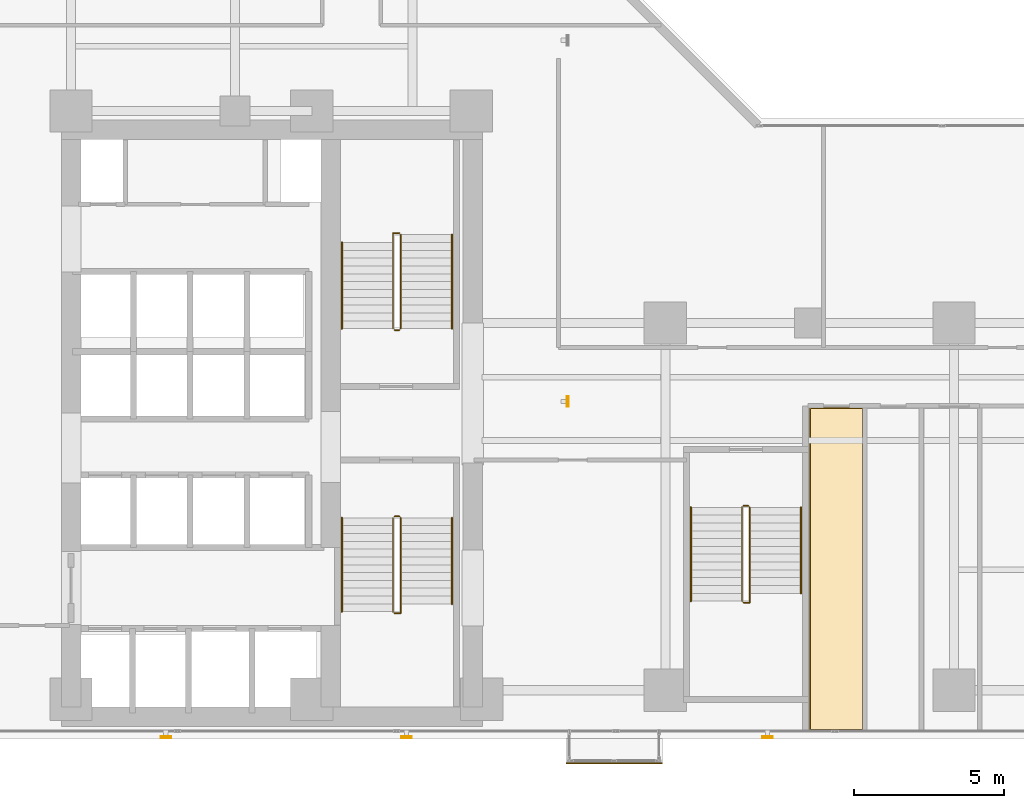
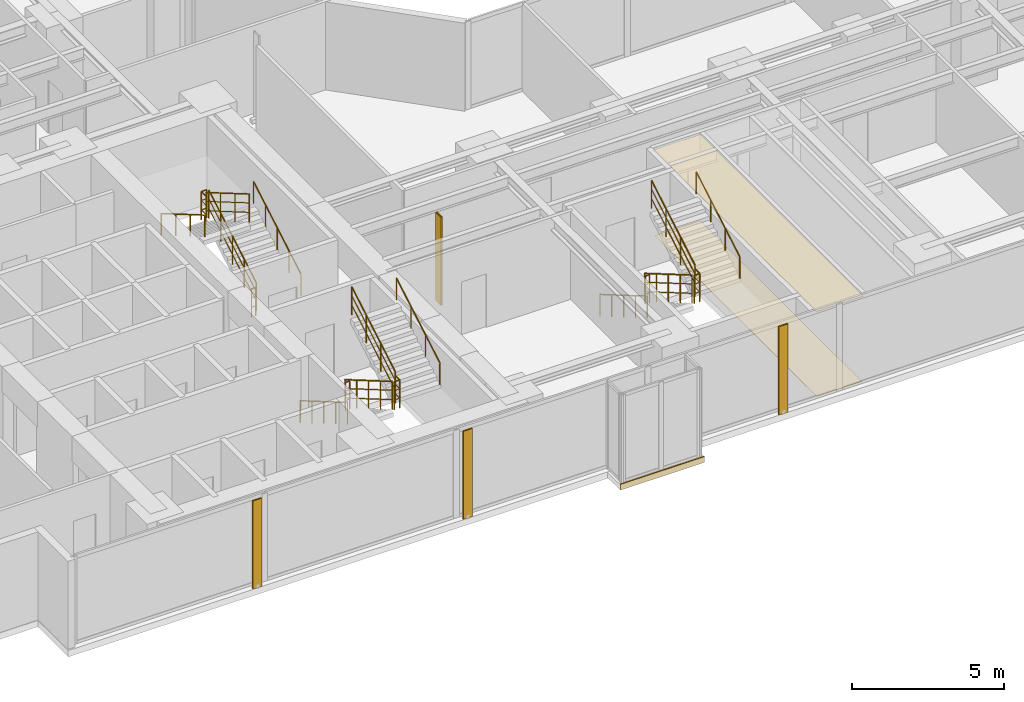
# One storey, part 22 of 24: 18 railings, 4 shading devices, 3 coverings.
"""IFC4 building model written with IfcOpenShell, lengths in metres."""

from ifc_helpers import new_model, si_unit, direction, frame, origin, origin_2d, place, context, subcontext, project, spatial, polyline, rectangle, hollow_rectangle, circle, outline, extrude, material, layer, layer_set, material_profile, profile_set, type_object, element, save


model = new_model("IFC4")

# Units and contexts
model_context = context("Model", 3, precision=1e-05, world=origin(), true_north=direction((0.0, 1.0)))
body_context = subcontext(model_context, "Body", "Model", "MODEL_VIEW")
ifc_project = project(units=[si_unit("LENGTHUNIT", "METRE"), si_unit("AREAUNIT", "SQUARE_METRE"), si_unit("VOLUMEUNIT", "CUBIC_METRE"), si_unit("PLANEANGLEUNIT", "RADIAN"), si_unit("MASSUNIT", "GRAM", prefix="KILO")], contexts=[model_context])

# Site, building, storey
site_placement = place(None, origin())
site = spatial("IfcSite", under=ifc_project, at=site_placement, CompositionType="ELEMENT")
building_placement = place(site_placement, origin())
building = spatial("IfcBuilding", under=site, at=building_placement, Name="Kolvaren Waterfront Exchange", CompositionType="ELEMENT")
storey_placement = place(building_placement, frame((0.0, 0.0, 91.699951171875)))
storey = spatial("IfcBuildingStorey", under=building, at=storey_placement, Name="L23", CompositionType="ELEMENT", Elevation=91.699951171875)

# Coverings
ifc_material_1 = material(Name="Mineral fibre acoustic ceiling tile")
ifc_layer_1 = layer(ifc_material_1, 0.02490234375, Name="Mineral fibre acoustic ceiling tile")
ifc_layer_set_1 = layer_set([ifc_layer_1], Name="Mineral fibre acoustic ceiling tile")
covering_type_1 = type_object("IfcCoveringType", Name="ARC-CEIL-ACOUSTIC-25", PredefinedType="CEILING", material=ifc_layer_set_1)
covering_1_placement = place(storey_placement, frame((0.0, 0.0, 3.425048828125)))
element("IfcCovering", 1, at=covering_1_placement, inside=storey, type_object=covering_type_1, Name="L23 acoustic suspended ceiling 1", PredefinedType="CEILING", context=body_context, shape_type="SweptSolid", body=[
    extrude(outline(polyline([(33.784912109375, 3.864990234375), (33.784912109375, 14.594970703125), (31.9951171875, 14.594970703125), (31.9951171875, 13.35009765625), (32.0, 13.35009765625), (32.0, 4.800048828125), (31.9951171875, 4.800048828125), (31.9951171875, 3.864990234375), (33.784912109375, 3.864990234375)])), origin(), (0.0, 0.0, 1.0), 0.02490234375),
])
ifc_material_2 = material(Name="Anodised bronze fascia aluminium", Category="aluminium")
ifc_layer_2 = layer(ifc_material_2, 0.034912109375, Name="Anodised bronze fascia aluminium")
ifc_layer_set_2 = layer_set([ifc_layer_2], Name="Anodised bronze fascia aluminium")
covering_type_2 = type_object("IfcCoveringType", Name="ARC-CLAD-BRONZE-35", PredefinedType="CLADDING", material=ifc_layer_set_2)
covering_2_placement = place(storey_placement, frame((25.5, 2.77001953125, -0.2197265625), z_axis=(0.0, 0.0, 1.0), x_axis=(1.0, 0.0, 0.0)))
element("IfcCovering", 2, at=covering_2_placement, inside=storey, type_object=covering_type_2, Name="L23 ribbed anodised bronze bay-box fascia", PredefinedType="CLADDING", context=body_context, shape_type="SweptSolid", body=[
    extrude(rectangle(XDim=3.199951171875, YDim=0.034912109375, at=origin_2d()), origin(), (0.0, 0.0, 1.0), 0.239990234375),
])

# Shading devices
ifc_material_3 = material(Name="Anodised bronze aluminium 6063-T6", Category="aluminium")
ifc_material_profile = material_profile(ifc_material_3, hollow_rectangle(XDim=0.06005859375, YDim=0.35009765625, WallThickness=0.0048828125, at=origin_2d()), Name="BRZ-FIN-350x60x5")
ifc_profile_set = profile_set([ifc_material_profile], Name="Anodised bronze aluminium 6063-T6")
shading_device_type = type_object("IfcShadingDeviceType", Name="ARC-FIN-350", PredefinedType="USERDEFINED", material=ifc_profile_set)
for number, where, z_axis, x_axis, name in (
    (3, (10.60009765625, 3.639892578125, 0.0), (0.0, 0.0, 1.0), (0.0, -1.0, 0.0), "L23 anodised bronze solar shading fin FIN-L23-S1"),
    (4, (18.60009765625, 3.639892578125, 0.0), (0.0, 0.0, 1.0), (0.0, -1.0, 0.0), "L23 anodised bronze solar shading fin FIN-L23-S2"),
    (5, (30.60009765625, 3.639892578125, 0.0), (0.0, 0.0, 1.0), (0.0, -1.0, 0.0), "L23 anodised bronze solar shading fin FIN-L23-S3"),
    (6, (23.9599609375, 14.800048828125, 0.0), (0.0, 0.0, 1.0), (1.0, 0.0, 0.0), "L23 anodised bronze solar shading fin FIN-L23-E1"),
):
    element("IfcShadingDevice", number, at=place(storey_placement, frame(where, z_axis=z_axis, x_axis=x_axis)), inside=storey, type_object=shading_device_type, Name=name, ObjectType="SOLAR FIN", PredefinedType="USERDEFINED", context=body_context, shape_type="SweptSolid", body=[
        extrude(hollow_rectangle(XDim=0.06005859375, YDim=0.35009765625, WallThickness=0.0048828125, at=origin_2d()), origin(), (0.0, 0.0, 1.0), 3.5400390625),
    ])

# Covering
ifc_material_4 = material(Name="Slip-resistant porcelain tile")
ifc_layer_3 = layer(ifc_material_4, 0.014892578125, Name="Slip-resistant porcelain tile")
ifc_layer_set_3 = layer_set([ifc_layer_3], Name="Slip-resistant porcelain tile")
covering_type_3 = type_object("IfcCoveringType", Name="ARC-FLR-PORC-15", PredefinedType="FLOORING", material=ifc_layer_set_3)
covering_3_placement = place(storey_placement, origin())
element("IfcCovering", 7, at=covering_3_placement, inside=storey, type_object=covering_type_3, Name="L23 floor finish 1", PredefinedType="FLOORING", context=body_context, shape_type="SweptSolid", body=[
    extrude(outline(polyline([(32.030029296875, 14.56005859375), (32.030029296875, 3.89990234375), (33.75, 3.89990234375), (33.75, 14.56005859375), (32.030029296875, 14.56005859375)])), origin(), (0.0, 0.0, 1.0), 0.01513671875),
])

# Railings
ifc_material_5 = material(Name="Stainless steel 316", Category="steel")
railing_type_1 = type_object("IfcRailingType", Name="ARC-GUARD-STAIR", PredefinedType="GUARDRAIL", material=ifc_material_5)
railing_1_placement = place(storey_placement, frame((18.14990234375, 10.929931640625, 0.152099609375)))
element("IfcRailing", 8, at=railing_1_placement, inside=storey, type_object=railing_type_1, Name="L23 ST1 stair guard 1", PredefinedType="GUARDRAIL", context=body_context, shape_type="SweptSolid", body=[
    extrude(circle(Radius=0.02392578125, at=origin_2d()), frame((0.0, 0.0, 1.1259765625), z_axis=(0.0, -0.86329090724, 0.504706656858), x_axis=(1.0, 0.0, 0.0)), (0.0, 0.0, 1.0), 3.614013671875),
    extrude(circle(Radius=0.01611328125, at=origin_2d()), frame((0.0, 0.0, 0.390869140625), z_axis=(0.0, -0.86329090724, 0.504706656858), x_axis=(1.0, 0.0, 0.0)), (0.0, 0.0, 1.0), 3.614013671875),
    extrude(circle(Radius=0.01611328125, at=origin_2d()), frame((0.0, 0.0, 0.7705078125), z_axis=(0.0, -0.86329090724, 0.504706656858), x_axis=(1.0, 0.0, 0.0)), (0.0, 0.0, 1.0), 3.614013671875),
    extrude(circle(Radius=0.02099609375, at=origin_2d()), origin(), (0.0, 0.0, 1.0), 1.101806640625),
    extrude(circle(Radius=0.02099609375, at=origin_2d()), frame((0.0, -0.780029296875, 0.4560546875)), (0.0, 0.0, 1.0), 1.101806640625),
    extrude(circle(Radius=0.02099609375, at=origin_2d()), frame((0.0, -1.56005859375, 0.912109375)), (0.0, 0.0, 1.0), 1.101806640625),
    extrude(circle(Radius=0.02099609375, at=origin_2d()), frame((0.0, -2.33984375, 1.367919921875)), (0.0, 0.0, 1.0), 1.101806640625),
    extrude(circle(Radius=0.02099609375, at=origin_2d()), frame((0.0, -3.119873046875, 1.823974609375)), (0.0, 0.0, 1.0), 1.101806640625),
])
railing_2_placement = place(storey_placement, frame((18.199951171875, 7.760009765625, 1.97607421875)))
element("IfcRailing", 9, at=railing_2_placement, inside=storey, type_object=railing_type_1, Name="L23 ST1 stair guard 2", PredefinedType="GUARDRAIL", context=body_context, shape_type="SweptSolid", body=[
    extrude(circle(Radius=0.02392578125, at=origin_2d()), frame((0.0, 0.0, 1.1259765625), z_axis=(1.0, 0.0, 0.0), x_axis=(0.0, 1.0, 0.0)), (0.0, 0.0, 1.0), 0.2099609375),
    extrude(circle(Radius=0.01611328125, at=origin_2d()), frame((0.0, 0.0, 0.390869140625), z_axis=(1.0, 0.0, 0.0), x_axis=(0.0, 1.0, 0.0)), (0.0, 0.0, 1.0), 0.2099609375),
    extrude(circle(Radius=0.01611328125, at=origin_2d()), frame((0.0, 0.0, 0.7705078125), z_axis=(1.0, 0.0, 0.0), x_axis=(0.0, 1.0, 0.0)), (0.0, 0.0, 1.0), 0.2099609375),
    extrude(circle(Radius=0.02392578125, at=origin_2d()), frame((0.2099609375, 0.0, 1.1259765625), z_axis=(0.0, 1.0, 0.0), x_axis=(-1.0, 0.0, 0.0)), (0.0, 0.0, 1.0), 0.31005859375),
    extrude(circle(Radius=0.01611328125, at=origin_2d()), frame((0.2099609375, 0.0, 0.390869140625), z_axis=(0.0, 1.0, 0.0), x_axis=(-1.0, 0.0, 0.0)), (0.0, 0.0, 1.0), 0.31005859375),
    extrude(circle(Radius=0.01611328125, at=origin_2d()), frame((0.2099609375, 0.0, 0.7705078125), z_axis=(0.0, 1.0, 0.0), x_axis=(-1.0, 0.0, 0.0)), (0.0, 0.0, 1.0), 0.31005859375),
    extrude(circle(Radius=0.02099609375, at=origin_2d()), origin(), (0.0, 0.0, 1.0), 1.101806640625),
    extrude(circle(Radius=0.02099609375, at=origin_2d()), frame((0.2099609375, 0.0, 0.0)), (0.0, 0.0, 1.0), 1.101806640625),
    extrude(circle(Radius=0.02099609375, at=origin_2d()), frame((0.2099609375, 0.31005859375, 0.0)), (0.0, 0.0, 1.0), 1.101806640625),
])
railing_3_placement = place(storey_placement, frame((18.409912109375, 8.070068359375, 2.1279296875)))
element("IfcRailing", 10, at=railing_3_placement, inside=storey, type_object=railing_type_1, Name="L23 ST1 stair guard 3", PredefinedType="GUARDRAIL", context=body_context, shape_type="SweptSolid", body=[
    extrude(circle(Radius=0.02392578125, at=origin_2d()), frame((0.0, 0.0, 1.1259765625), z_axis=(0.0, 0.863270611444, 0.50474137082), x_axis=(-1.0, 0.0, 0.0)), (0.0, 0.0, 1.0), 3.312744140625),
    extrude(circle(Radius=0.01611328125, at=origin_2d()), frame((0.0, 0.0, 0.390869140625), z_axis=(0.0, 0.863270611444, 0.50474137082), x_axis=(-1.0, 0.0, 0.0)), (0.0, 0.0, 1.0), 3.312744140625),
    extrude(circle(Radius=0.01611328125, at=origin_2d()), frame((0.0, 0.0, 0.7705078125), z_axis=(0.0, 0.863270611444, 0.50474137082), x_axis=(-1.0, 0.0, 0.0)), (0.0, 0.0, 1.0), 3.312744140625),
    extrude(circle(Radius=0.02099609375, at=origin_2d()), origin(), (0.0, 0.0, 1.0), 1.101806640625),
    extrude(circle(Radius=0.02099609375, at=origin_2d()), frame((0.0, 0.953369140625, 0.557373046875)), (0.0, 0.0, 1.0), 1.101806640625),
    extrude(circle(Radius=0.02099609375, at=origin_2d()), frame((0.0, 1.906494140625, 1.11474609375)), (0.0, 0.0, 1.0), 1.101806640625),
    extrude(circle(Radius=0.02099609375, at=origin_2d()), frame((0.0, 2.85986328125, 1.672119140625)), (0.0, 0.0, 1.0), 1.101806640625),
])
railing_4_placement = place(storey_placement, frame((18.199951171875, 10.97998046875, 0.0)))
element("IfcRailing", 11, at=railing_4_placement, inside=storey, type_object=railing_type_1, Name="L23 ST1 stair guard 4", PredefinedType="GUARDRAIL", context=body_context, shape_type="SweptSolid", body=[
    extrude(circle(Radius=0.02392578125, at=origin_2d()), frame((0.0, 0.0, 1.1259765625), z_axis=(1.0, 0.0, 0.0), x_axis=(0.0, 1.0, 0.0)), (0.0, 0.0, 1.0), 0.16015625),
    extrude(circle(Radius=0.01611328125, at=origin_2d()), frame((0.0, 0.0, 0.390869140625), z_axis=(1.0, 0.0, 0.0), x_axis=(0.0, 1.0, 0.0)), (0.0, 0.0, 1.0), 0.16015625),
    extrude(circle(Radius=0.01611328125, at=origin_2d()), frame((0.0, 0.0, 0.7705078125), z_axis=(1.0, 0.0, 0.0), x_axis=(0.0, 1.0, 0.0)), (0.0, 0.0, 1.0), 0.16015625),
    extrude(circle(Radius=0.02099609375, at=origin_2d()), origin(), (0.0, 0.0, 1.0), 1.101806640625),
    extrude(circle(Radius=0.02099609375, at=origin_2d()), frame((0.16015625, 0.0, 0.0)), (0.0, 0.0, 1.0), 1.101806640625),
])
railing_5_placement = place(storey_placement, frame((18.409912109375, 17.219970703125, 0.152099609375)))
element("IfcRailing", 12, at=railing_5_placement, inside=storey, type_object=railing_type_1, Name="L23 ST2 stair guard 1", PredefinedType="GUARDRAIL", context=body_context, shape_type="SweptSolid", body=[
    extrude(circle(Radius=0.02392578125, at=origin_2d()), frame((0.0, 0.0, 1.1259765625), z_axis=(0.0, 0.86330811405, 0.504677223793), x_axis=(-1.0, 0.0, 0.0)), (0.0, 0.0, 1.0), 3.6142578125),
    extrude(circle(Radius=0.01611328125, at=origin_2d()), frame((0.0, 0.0, 0.390869140625), z_axis=(0.0, 0.86330811405, 0.504677223793), x_axis=(-1.0, 0.0, 0.0)), (0.0, 0.0, 1.0), 3.6142578125),
    extrude(circle(Radius=0.01611328125, at=origin_2d()), frame((0.0, 0.0, 0.7705078125), z_axis=(0.0, 0.86330811405, 0.504677223793), x_axis=(-1.0, 0.0, 0.0)), (0.0, 0.0, 1.0), 3.6142578125),
    extrude(circle(Radius=0.02099609375, at=origin_2d()), origin(), (0.0, 0.0, 1.0), 1.101806640625),
    extrude(circle(Radius=0.02099609375, at=origin_2d()), frame((0.0, 0.780029296875, 0.4560546875)), (0.0, 0.0, 1.0), 1.101806640625),
    extrude(circle(Radius=0.02099609375, at=origin_2d()), frame((0.0, 1.56005859375, 0.912109375)), (0.0, 0.0, 1.0), 1.101806640625),
    extrude(circle(Radius=0.02099609375, at=origin_2d()), frame((0.0, 2.340087890625, 1.367919921875)), (0.0, 0.0, 1.0), 1.101806640625),
    extrude(circle(Radius=0.02099609375, at=origin_2d()), frame((0.0, 3.1201171875, 1.823974609375)), (0.0, 0.0, 1.0), 1.101806640625),
])
railing_6_placement = place(storey_placement, frame((18.360107421875, 20.389892578125, 1.97607421875)))
element("IfcRailing", 13, at=railing_6_placement, inside=storey, type_object=railing_type_1, Name="L23 ST2 stair guard 2", PredefinedType="GUARDRAIL", context=body_context, shape_type="SweptSolid", body=[
    extrude(circle(Radius=0.02392578125, at=origin_2d()), frame((0.0, 0.0, 1.1259765625), z_axis=(-1.0, 0.0, 0.0), x_axis=(0.0, -1.0, 0.0)), (0.0, 0.0, 1.0), 0.210205078125),
    extrude(circle(Radius=0.01611328125, at=origin_2d()), frame((0.0, 0.0, 0.390869140625), z_axis=(-1.0, 0.0, 0.0), x_axis=(0.0, -1.0, 0.0)), (0.0, 0.0, 1.0), 0.210205078125),
    extrude(circle(Radius=0.01611328125, at=origin_2d()), frame((0.0, 0.0, 0.7705078125), z_axis=(-1.0, 0.0, 0.0), x_axis=(0.0, -1.0, 0.0)), (0.0, 0.0, 1.0), 0.210205078125),
    extrude(circle(Radius=0.02392578125, at=origin_2d()), frame((-0.210205078125, 0.0, 1.1259765625), z_axis=(0.0, -1.0, 0.0), x_axis=(1.0, 0.0, 0.0)), (0.0, 0.0, 1.0), 0.309814453125),
    extrude(circle(Radius=0.01611328125, at=origin_2d()), frame((-0.210205078125, 0.0, 0.390869140625), z_axis=(0.0, -1.0, 0.0), x_axis=(1.0, 0.0, 0.0)), (0.0, 0.0, 1.0), 0.309814453125),
    extrude(circle(Radius=0.01611328125, at=origin_2d()), frame((-0.210205078125, 0.0, 0.7705078125), z_axis=(0.0, -1.0, 0.0), x_axis=(1.0, 0.0, 0.0)), (0.0, 0.0, 1.0), 0.309814453125),
    extrude(circle(Radius=0.02099609375, at=origin_2d()), origin(), (0.0, 0.0, 1.0), 1.101806640625),
    extrude(circle(Radius=0.02099609375, at=origin_2d()), frame((-0.210205078125, 0.0, 0.0)), (0.0, 0.0, 1.0), 1.101806640625),
    extrude(circle(Radius=0.02099609375, at=origin_2d()), frame((-0.210205078125, -0.309814453125, 0.0)), (0.0, 0.0, 1.0), 1.101806640625),
])
railing_7_placement = place(storey_placement, frame((18.14990234375, 20.080078125, 2.1279296875)))
element("IfcRailing", 14, at=railing_7_placement, inside=storey, type_object=railing_type_1, Name="L23 ST2 stair guard 3", PredefinedType="GUARDRAIL", context=body_context, shape_type="SweptSolid", body=[
    extrude(circle(Radius=0.02392578125, at=origin_2d()), frame((0.0, 0.0, 1.1259765625), z_axis=(0.0, -0.863289384635, 0.504709261235), x_axis=(1.0, 0.0, 0.0)), (0.0, 0.0, 1.0), 3.31298828125),
    extrude(circle(Radius=0.01611328125, at=origin_2d()), frame((0.0, 0.0, 0.390869140625), z_axis=(0.0, -0.863289384635, 0.504709261235), x_axis=(1.0, 0.0, 0.0)), (0.0, 0.0, 1.0), 3.31298828125),
    extrude(circle(Radius=0.01611328125, at=origin_2d()), frame((0.0, 0.0, 0.7705078125), z_axis=(0.0, -0.863289384635, 0.504709261235), x_axis=(1.0, 0.0, 0.0)), (0.0, 0.0, 1.0), 3.31298828125),
    extrude(circle(Radius=0.02099609375, at=origin_2d()), origin(), (0.0, 0.0, 1.0), 1.101806640625),
    extrude(circle(Radius=0.02099609375, at=origin_2d()), frame((0.0, -0.953369140625, 0.557373046875)), (0.0, 0.0, 1.0), 1.101806640625),
    extrude(circle(Radius=0.02099609375, at=origin_2d()), frame((0.0, -1.90673828125, 1.11474609375)), (0.0, 0.0, 1.0), 1.101806640625),
    extrude(circle(Radius=0.02099609375, at=origin_2d()), frame((0.0, -2.860107421875, 1.672119140625)), (0.0, 0.0, 1.0), 1.101806640625),
])
railing_8_placement = place(storey_placement, frame((18.360107421875, 17.169921875, 0.0)))
element("IfcRailing", 15, at=railing_8_placement, inside=storey, type_object=railing_type_1, Name="L23 ST2 stair guard 4", PredefinedType="GUARDRAIL", context=body_context, shape_type="SweptSolid", body=[
    extrude(circle(Radius=0.02392578125, at=origin_2d()), frame((0.0, 0.0, 1.1259765625), z_axis=(-1.0, 0.0, 0.0), x_axis=(0.0, -1.0, 0.0)), (0.0, 0.0, 1.0), 0.16015625),
    extrude(circle(Radius=0.01611328125, at=origin_2d()), frame((0.0, 0.0, 0.390869140625), z_axis=(-1.0, 0.0, 0.0), x_axis=(0.0, -1.0, 0.0)), (0.0, 0.0, 1.0), 0.16015625),
    extrude(circle(Radius=0.01611328125, at=origin_2d()), frame((0.0, 0.0, 0.7705078125), z_axis=(-1.0, 0.0, 0.0), x_axis=(0.0, -1.0, 0.0)), (0.0, 0.0, 1.0), 0.16015625),
    extrude(circle(Radius=0.02099609375, at=origin_2d()), origin(), (0.0, 0.0, 1.0), 1.101806640625),
    extrude(circle(Radius=0.02099609375, at=origin_2d()), frame((-0.16015625, 0.0, 0.0)), (0.0, 0.0, 1.0), 1.101806640625),
])
railing_9_placement = place(storey_placement, frame((29.75, 11.280029296875, 0.152099609375)))
element("IfcRailing", 16, at=railing_9_placement, inside=storey, type_object=railing_type_1, Name="L23 ST3 stair guard 1", PredefinedType="GUARDRAIL", context=body_context, shape_type="SweptSolid", body=[
    extrude(circle(Radius=0.02392578125, at=origin_2d()), frame((0.0, 0.0, 1.1259765625), z_axis=(0.0, -0.86330811405, 0.504677223793), x_axis=(1.0, 0.0, 0.0)), (0.0, 0.0, 1.0), 3.6142578125),
    extrude(circle(Radius=0.01611328125, at=origin_2d()), frame((0.0, 0.0, 0.390869140625), z_axis=(0.0, -0.86330811405, 0.504677223793), x_axis=(1.0, 0.0, 0.0)), (0.0, 0.0, 1.0), 3.6142578125),
    extrude(circle(Radius=0.01611328125, at=origin_2d()), frame((0.0, 0.0, 0.7705078125), z_axis=(0.0, -0.86330811405, 0.504677223793), x_axis=(1.0, 0.0, 0.0)), (0.0, 0.0, 1.0), 3.6142578125),
    extrude(circle(Radius=0.02099609375, at=origin_2d()), origin(), (0.0, 0.0, 1.0), 1.101806640625),
    extrude(circle(Radius=0.02099609375, at=origin_2d()), frame((0.0, -0.780029296875, 0.4560546875)), (0.0, 0.0, 1.0), 1.101806640625),
    extrude(circle(Radius=0.02099609375, at=origin_2d()), frame((0.0, -1.56005859375, 0.912109375)), (0.0, 0.0, 1.0), 1.101806640625),
    extrude(circle(Radius=0.02099609375, at=origin_2d()), frame((0.0, -2.340087890625, 1.367919921875)), (0.0, 0.0, 1.0), 1.101806640625),
    extrude(circle(Radius=0.02099609375, at=origin_2d()), frame((0.0, -3.1201171875, 1.823974609375)), (0.0, 0.0, 1.0), 1.101806640625),
])
railing_10_placement = place(storey_placement, frame((29.800048828125, 8.110107421875, 1.97607421875)))
element("IfcRailing", 17, at=railing_10_placement, inside=storey, type_object=railing_type_1, Name="L23 ST3 stair guard 2", PredefinedType="GUARDRAIL", context=body_context, shape_type="SweptSolid", body=[
    extrude(circle(Radius=0.02392578125, at=origin_2d()), frame((0.0, 0.0, 1.1259765625), z_axis=(1.0, 0.0, 0.0), x_axis=(0.0, 1.0, 0.0)), (0.0, 0.0, 1.0), 0.2099609375),
    extrude(circle(Radius=0.01611328125, at=origin_2d()), frame((0.0, 0.0, 0.390869140625), z_axis=(1.0, 0.0, 0.0), x_axis=(0.0, 1.0, 0.0)), (0.0, 0.0, 1.0), 0.2099609375),
    extrude(circle(Radius=0.01611328125, at=origin_2d()), frame((0.0, 0.0, 0.7705078125), z_axis=(1.0, 0.0, 0.0), x_axis=(0.0, 1.0, 0.0)), (0.0, 0.0, 1.0), 0.2099609375),
    extrude(circle(Radius=0.02392578125, at=origin_2d()), frame((0.2099609375, 0.0, 1.1259765625), z_axis=(0.0, 1.0, 0.0), x_axis=(-1.0, 0.0, 0.0)), (0.0, 0.0, 1.0), 0.309814453125),
    extrude(circle(Radius=0.01611328125, at=origin_2d()), frame((0.2099609375, 0.0, 0.390869140625), z_axis=(0.0, 1.0, 0.0), x_axis=(-1.0, 0.0, 0.0)), (0.0, 0.0, 1.0), 0.309814453125),
    extrude(circle(Radius=0.01611328125, at=origin_2d()), frame((0.2099609375, 0.0, 0.7705078125), z_axis=(0.0, 1.0, 0.0), x_axis=(-1.0, 0.0, 0.0)), (0.0, 0.0, 1.0), 0.309814453125),
    extrude(circle(Radius=0.02099609375, at=origin_2d()), origin(), (0.0, 0.0, 1.0), 1.101806640625),
    extrude(circle(Radius=0.02099609375, at=origin_2d()), frame((0.2099609375, 0.0, 0.0)), (0.0, 0.0, 1.0), 1.101806640625),
    extrude(circle(Radius=0.02099609375, at=origin_2d()), frame((0.2099609375, 0.309814453125, 0.0)), (0.0, 0.0, 1.0), 1.101806640625),
])
railing_11_placement = place(storey_placement, frame((30.010009765625, 8.419921875, 2.1279296875)))
element("IfcRailing", 18, at=railing_11_placement, inside=storey, type_object=railing_type_1, Name="L23 ST3 stair guard 3", PredefinedType="GUARDRAIL", context=body_context, shape_type="SweptSolid", body=[
    extrude(circle(Radius=0.02392578125, at=origin_2d()), frame((0.0, 0.0, 1.1259765625), z_axis=(0.0, 0.863289384635, 0.504709261235), x_axis=(-1.0, 0.0, 0.0)), (0.0, 0.0, 1.0), 3.31298828125),
    extrude(circle(Radius=0.01611328125, at=origin_2d()), frame((0.0, 0.0, 0.390869140625), z_axis=(0.0, 0.863289384635, 0.504709261235), x_axis=(-1.0, 0.0, 0.0)), (0.0, 0.0, 1.0), 3.31298828125),
    extrude(circle(Radius=0.01611328125, at=origin_2d()), frame((0.0, 0.0, 0.7705078125), z_axis=(0.0, 0.863289384635, 0.504709261235), x_axis=(-1.0, 0.0, 0.0)), (0.0, 0.0, 1.0), 3.31298828125),
    extrude(circle(Radius=0.02099609375, at=origin_2d()), origin(), (0.0, 0.0, 1.0), 1.101806640625),
    extrude(circle(Radius=0.02099609375, at=origin_2d()), frame((0.0, 0.953369140625, 0.557373046875)), (0.0, 0.0, 1.0), 1.101806640625),
    extrude(circle(Radius=0.02099609375, at=origin_2d()), frame((0.0, 1.90673828125, 1.11474609375)), (0.0, 0.0, 1.0), 1.101806640625),
    extrude(circle(Radius=0.02099609375, at=origin_2d()), frame((0.0, 2.860107421875, 1.672119140625)), (0.0, 0.0, 1.0), 1.101806640625),
])
railing_12_placement = place(storey_placement, frame((29.800048828125, 11.330078125, 0.0)))
element("IfcRailing", 19, at=railing_12_placement, inside=storey, type_object=railing_type_1, Name="L23 ST3 stair guard 4", PredefinedType="GUARDRAIL", context=body_context, shape_type="SweptSolid", body=[
    extrude(circle(Radius=0.02392578125, at=origin_2d()), frame((0.0, 0.0, 1.1259765625), z_axis=(1.0, 0.0, 0.0), x_axis=(0.0, 1.0, 0.0)), (0.0, 0.0, 1.0), 0.159912109375),
    extrude(circle(Radius=0.01611328125, at=origin_2d()), frame((0.0, 0.0, 0.390869140625), z_axis=(1.0, 0.0, 0.0), x_axis=(0.0, 1.0, 0.0)), (0.0, 0.0, 1.0), 0.159912109375),
    extrude(circle(Radius=0.01611328125, at=origin_2d()), frame((0.0, 0.0, 0.7705078125), z_axis=(1.0, 0.0, 0.0), x_axis=(0.0, 1.0, 0.0)), (0.0, 0.0, 1.0), 0.159912109375),
    extrude(circle(Radius=0.02099609375, at=origin_2d()), origin(), (0.0, 0.0, 1.0), 1.101806640625),
    extrude(circle(Radius=0.02099609375, at=origin_2d()), frame((0.159912109375, 0.0, 0.0)), (0.0, 0.0, 1.0), 1.101806640625),
])
railing_type_2 = type_object("IfcRailingType", Name="ARC-HANDRAIL-900", PredefinedType="HANDRAIL", material=ifc_material_5)
railing_13_placement = place(storey_placement, frame((16.449951171875, 10.929931640625, 0.152099609375)))
element("IfcRailing", 20, at=railing_13_placement, inside=storey, type_object=railing_type_2, Name="L23 ST1 stair handrail 1", PredefinedType="HANDRAIL", context=body_context, shape_type="SweptSolid", body=[
    extrude(circle(Radius=0.02392578125, at=origin_2d()), frame((0.0, 0.0, 0.8759765625), z_axis=(0.0, -0.86329090724, 0.504706656858), x_axis=(1.0, 0.0, 0.0)), (0.0, 0.0, 1.0), 3.614013671875),
    extrude(circle(Radius=0.02099609375, at=origin_2d()), origin(), (0.0, 0.0, 1.0), 0.851806640625),
    extrude(circle(Radius=0.02099609375, at=origin_2d()), frame((0.0, -0.780029296875, 0.4560546875)), (0.0, 0.0, 1.0), 0.851806640625),
    extrude(circle(Radius=0.02099609375, at=origin_2d()), frame((0.0, -1.56005859375, 0.912109375)), (0.0, 0.0, 1.0), 0.851806640625),
    extrude(circle(Radius=0.02099609375, at=origin_2d()), frame((0.0, -2.33984375, 1.367919921875)), (0.0, 0.0, 1.0), 0.851806640625),
    extrude(circle(Radius=0.02099609375, at=origin_2d()), frame((0.0, -3.119873046875, 1.823974609375)), (0.0, 0.0, 1.0), 0.851806640625),
])
railing_14_placement = place(storey_placement, frame((20.110107421875, 8.070068359375, 2.1279296875)))
element("IfcRailing", 21, at=railing_14_placement, inside=storey, type_object=railing_type_2, Name="L23 ST1 stair handrail 2", PredefinedType="HANDRAIL", context=body_context, shape_type="SweptSolid", body=[
    extrude(circle(Radius=0.02392578125, at=origin_2d()), frame((0.0, 0.0, 0.8759765625), z_axis=(0.0, 0.863270611444, 0.50474137082), x_axis=(-1.0, 0.0, 0.0)), (0.0, 0.0, 1.0), 3.312744140625),
    extrude(circle(Radius=0.02099609375, at=origin_2d()), origin(), (0.0, 0.0, 1.0), 0.851806640625),
    extrude(circle(Radius=0.02099609375, at=origin_2d()), frame((0.0, 0.953369140625, 0.557373046875)), (0.0, 0.0, 1.0), 0.851806640625),
    extrude(circle(Radius=0.02099609375, at=origin_2d()), frame((0.0, 1.906494140625, 1.11474609375)), (0.0, 0.0, 1.0), 0.851806640625),
    extrude(circle(Radius=0.02099609375, at=origin_2d()), frame((0.0, 2.85986328125, 1.672119140625)), (0.0, 0.0, 1.0), 0.851806640625),
])
railing_15_placement = place(storey_placement, frame((20.110107421875, 17.219970703125, 0.152099609375)))
element("IfcRailing", 22, at=railing_15_placement, inside=storey, type_object=railing_type_2, Name="L23 ST2 stair handrail 1", PredefinedType="HANDRAIL", context=body_context, shape_type="SweptSolid", body=[
    extrude(circle(Radius=0.02392578125, at=origin_2d()), frame((0.0, 0.0, 0.8759765625), z_axis=(0.0, 0.86330811405, 0.504677223793), x_axis=(-1.0, 0.0, 0.0)), (0.0, 0.0, 1.0), 3.6142578125),
    extrude(circle(Radius=0.02099609375, at=origin_2d()), origin(), (0.0, 0.0, 1.0), 0.851806640625),
    extrude(circle(Radius=0.02099609375, at=origin_2d()), frame((0.0, 0.780029296875, 0.4560546875)), (0.0, 0.0, 1.0), 0.851806640625),
    extrude(circle(Radius=0.02099609375, at=origin_2d()), frame((0.0, 1.56005859375, 0.912109375)), (0.0, 0.0, 1.0), 0.851806640625),
    extrude(circle(Radius=0.02099609375, at=origin_2d()), frame((0.0, 2.340087890625, 1.367919921875)), (0.0, 0.0, 1.0), 0.851806640625),
    extrude(circle(Radius=0.02099609375, at=origin_2d()), frame((0.0, 3.1201171875, 1.823974609375)), (0.0, 0.0, 1.0), 0.851806640625),
])
railing_16_placement = place(storey_placement, frame((16.449951171875, 20.080078125, 2.1279296875)))
element("IfcRailing", 23, at=railing_16_placement, inside=storey, type_object=railing_type_2, Name="L23 ST2 stair handrail 2", PredefinedType="HANDRAIL", context=body_context, shape_type="SweptSolid", body=[
    extrude(circle(Radius=0.02392578125, at=origin_2d()), frame((0.0, 0.0, 0.8759765625), z_axis=(0.0, -0.863289384635, 0.504709261235), x_axis=(1.0, 0.0, 0.0)), (0.0, 0.0, 1.0), 3.31298828125),
    extrude(circle(Radius=0.02099609375, at=origin_2d()), origin(), (0.0, 0.0, 1.0), 0.851806640625),
    extrude(circle(Radius=0.02099609375, at=origin_2d()), frame((0.0, -0.953369140625, 0.557373046875)), (0.0, 0.0, 1.0), 0.851806640625),
    extrude(circle(Radius=0.02099609375, at=origin_2d()), frame((0.0, -1.90673828125, 1.11474609375)), (0.0, 0.0, 1.0), 0.851806640625),
    extrude(circle(Radius=0.02099609375, at=origin_2d()), frame((0.0, -2.860107421875, 1.672119140625)), (0.0, 0.0, 1.0), 0.851806640625),
])
railing_17_placement = place(storey_placement, frame((28.050048828125, 11.280029296875, 0.152099609375)))
element("IfcRailing", 24, at=railing_17_placement, inside=storey, type_object=railing_type_2, Name="L23 ST3 stair handrail 1", PredefinedType="HANDRAIL", context=body_context, shape_type="SweptSolid", body=[
    extrude(circle(Radius=0.02392578125, at=origin_2d()), frame((0.0, 0.0, 0.8759765625), z_axis=(0.0, -0.86330811405, 0.504677223793), x_axis=(1.0, 0.0, 0.0)), (0.0, 0.0, 1.0), 3.6142578125),
    extrude(circle(Radius=0.02099609375, at=origin_2d()), origin(), (0.0, 0.0, 1.0), 0.851806640625),
    extrude(circle(Radius=0.02099609375, at=origin_2d()), frame((0.0, -0.780029296875, 0.4560546875)), (0.0, 0.0, 1.0), 0.851806640625),
    extrude(circle(Radius=0.02099609375, at=origin_2d()), frame((0.0, -1.56005859375, 0.912109375)), (0.0, 0.0, 1.0), 0.851806640625),
    extrude(circle(Radius=0.02099609375, at=origin_2d()), frame((0.0, -2.340087890625, 1.367919921875)), (0.0, 0.0, 1.0), 0.851806640625),
    extrude(circle(Radius=0.02099609375, at=origin_2d()), frame((0.0, -3.1201171875, 1.823974609375)), (0.0, 0.0, 1.0), 0.851806640625),
])
railing_18_placement = place(storey_placement, frame((31.7099609375, 8.419921875, 2.1279296875)))
element("IfcRailing", 25, at=railing_18_placement, inside=storey, type_object=railing_type_2, Name="L23 ST3 stair handrail 2", PredefinedType="HANDRAIL", context=body_context, shape_type="SweptSolid", body=[
    extrude(circle(Radius=0.02392578125, at=origin_2d()), frame((0.0, 0.0, 0.8759765625), z_axis=(0.0, 0.863289384635, 0.504709261235), x_axis=(-1.0, 0.0, 0.0)), (0.0, 0.0, 1.0), 3.31298828125),
    extrude(circle(Radius=0.02099609375, at=origin_2d()), origin(), (0.0, 0.0, 1.0), 0.851806640625),
    extrude(circle(Radius=0.02099609375, at=origin_2d()), frame((0.0, 0.953369140625, 0.557373046875)), (0.0, 0.0, 1.0), 0.851806640625),
    extrude(circle(Radius=0.02099609375, at=origin_2d()), frame((0.0, 1.90673828125, 1.11474609375)), (0.0, 0.0, 1.0), 0.851806640625),
    extrude(circle(Radius=0.02099609375, at=origin_2d()), frame((0.0, 2.860107421875, 1.672119140625)), (0.0, 0.0, 1.0), 0.851806640625),
])

save(model, "model.ifc")
